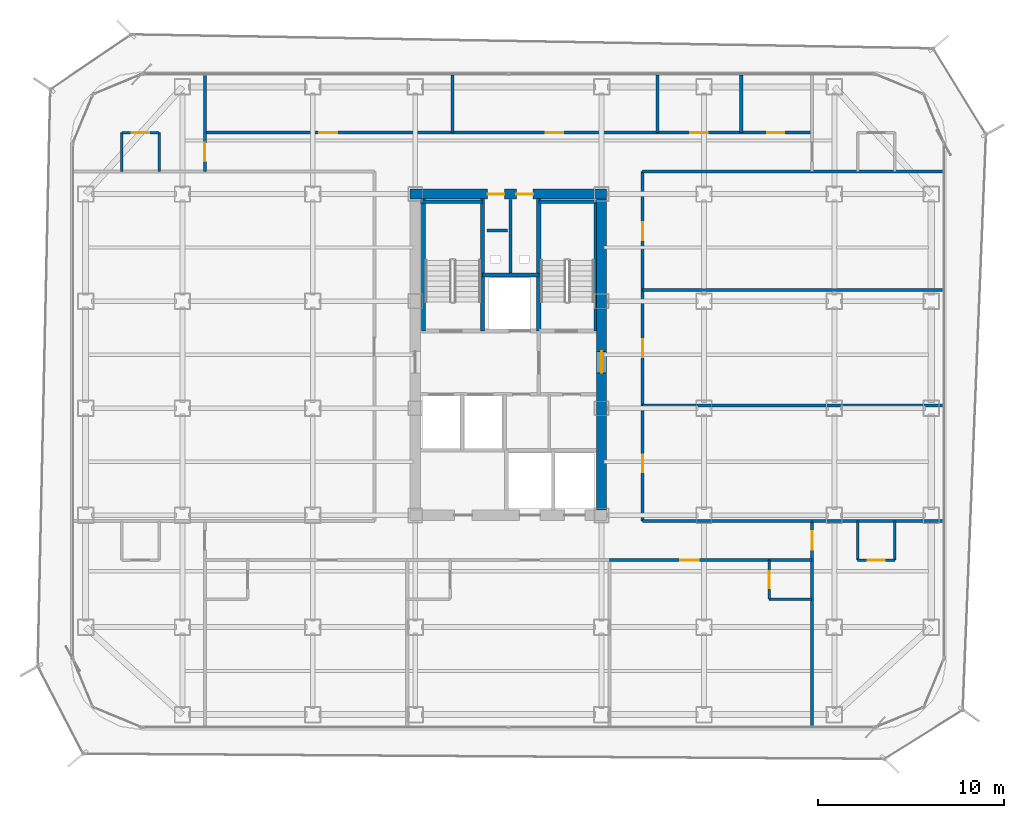
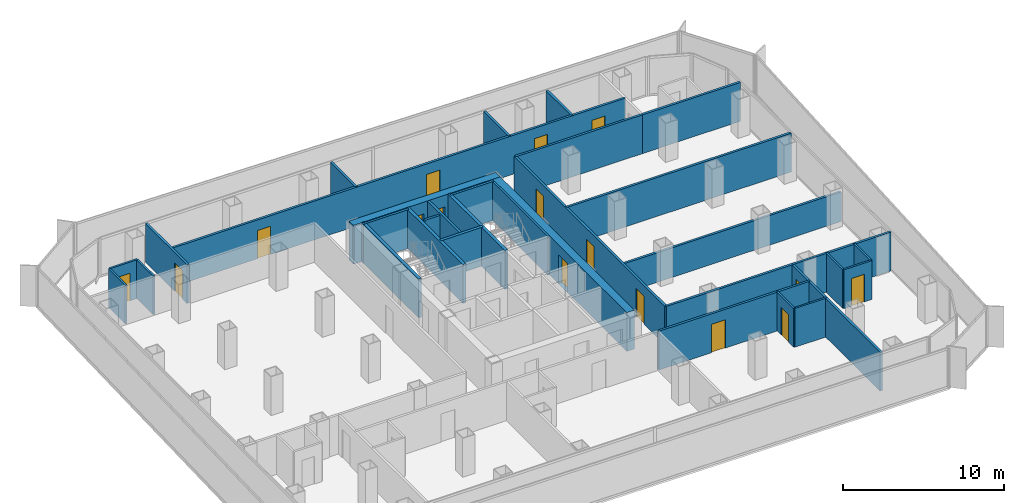
# One storey, part 17 of 21: 34 walls, 16 doors, 16 openings.
"""IFC4 building model written with IfcOpenShell, lengths in metres."""

import ifcopenshell
import ifcopenshell.guid

model = None  # the IFC model being written
_history = None  # IfcOwnerHistory: only IFC2X3 demands one
_inside = {}  # id of a spatial element -> (the spatial element, [elements in it])
_under = {}  # id of a project, library or spatial element -> (it, [spatial elements below it])
_declared = {}  # id of a project -> (the project, [libraries it declares])
_typed = {}  # id of a type object -> (the type object, [elements of that type])
_made_of = {}  # id of a material, layer set ... -> (it, [elements and type objects made of it])


def new_model(schema):
    """Start an empty IFC model of exactly this schema.

    Asked for "IFC4X3", IfcOpenShell would pick the latest addendum, in which some entities
    have other attributes; the version numbers below select the first issue.
    IFC2X3 requires an IfcOwnerHistory on every rooted entity: one is made here for all.
    """
    global model, _history
    if schema == "IFC4X3":
        model = ifcopenshell.file(schema_version=(4, 3, 0, 0))
    else:
        model = ifcopenshell.file(schema=schema)
    _inside.clear()
    _under.clear()
    _declared.clear()
    _typed.clear()
    _made_of.clear()
    _history = None
    if model.schema == "IFC2X3":
        org = make("IfcOrganization", Name="unknown")
        user = make(
            "IfcPersonAndOrganization",
            ThePerson=make("IfcPerson", FamilyName="unknown"),
            TheOrganization=org,
        )
        app = make(
            "IfcApplication",
            ApplicationDeveloper=org,
            Version="unknown",
            ApplicationFullName="unknown",
            ApplicationIdentifier="unknown",
        )
        _history = make(
            "IfcOwnerHistory",
            OwningUser=user,
            OwningApplication=app,
            ChangeAction="ADDED",
            CreationDate=0,
        )
    return model


def make(cls, **values):
    """One entity of the class cls with the attributes given. An attribute that is None is left unset."""
    return model.create_entity(
        cls, **{name: value for name, value in values.items() if value is not None}
    )


def rooted(cls, **values):
    """An entity with a GlobalId (a new one), such as an element, a storey or a relation."""
    return make(cls, GlobalId=ifcopenshell.guid.new(), OwnerHistory=_history, **values)


def si_unit(unit_type, name, prefix=None):
    """IfcSIUnit, for example si_unit("LENGTHUNIT", "METRE", prefix="MILLI")."""
    return make("IfcSIUnit", UnitType=unit_type, Prefix=prefix, Name=name)


def assignment(units):
    """IfcUnitAssignment: the units of a project."""
    return None if units is None else make("IfcUnitAssignment", Units=units)


def point(xyz):
    """IfcCartesianPoint."""
    return None if xyz is None else make("IfcCartesianPoint", Coordinates=xyz)


def direction(xyz):
    """IfcDirection."""
    return None if xyz is None else make("IfcDirection", DirectionRatios=xyz)


def frame(location, z_axis=None, x_axis=None):
    """IfcAxis2Placement3D, a coordinate frame: its origin and axes. An axis left out is left unset."""
    return make(
        "IfcAxis2Placement3D",
        Location=point(location),
        Axis=direction(z_axis),
        RefDirection=direction(x_axis),
    )


def frame_2d(location, x_axis=None):
    """IfcAxis2Placement2D, a coordinate frame in the plane: its origin and x axis."""
    return make(
        "IfcAxis2Placement2D", Location=point(location), RefDirection=direction(x_axis)
    )


def origin():
    """The frame at (0, 0, 0) with its axes left unset."""
    return frame((0.0, 0.0, 0.0))


def place(relative_to, where):
    """IfcLocalPlacement: puts the frame where relative to a parent placement (None: the world)."""
    return make(
        "IfcLocalPlacement", PlacementRelTo=relative_to, RelativePlacement=where
    )


def context(
    kind, dimensions, precision=None, world=None, true_north=None, identifier=None
):
    """IfcGeometricRepresentationContext, for example the 3D "Model" context."""
    return make(
        "IfcGeometricRepresentationContext",
        ContextIdentifier=identifier,
        ContextType=kind,
        CoordinateSpaceDimension=dimensions,
        Precision=precision,
        WorldCoordinateSystem=world,
        TrueNorth=true_north,
    )


def subcontext(parent, identifier, kind, view, scale=None):
    """IfcGeometricRepresentationSubContext, for example "Body" below "Model"."""
    return make(
        "IfcGeometricRepresentationSubContext",
        ContextIdentifier=identifier,
        ContextType=kind,
        ParentContext=parent,
        TargetScale=scale,
        TargetView=view,
    )


def project(units=None, contexts=None):
    """IfcProject with its units and contexts."""
    return rooted(
        "IfcProject",
        Name="project",
        RepresentationContexts=contexts,
        UnitsInContext=assignment(units),
    )


def spatial(cls, under=None, at=None, **own):
    """A site, building, storey or space (cls), placed at a placement, below another one or the project."""
    s = rooted(cls, ObjectPlacement=at, **own)
    if under is not None:
        _under.setdefault(under.id(), (under, []))[1].append(s)
    return s


def profile(cls, at=None, kind="AREA", **sizes):
    """A parametric profile (cls). Its sizes go by their IFC names, for example OverallWidth=200.0."""
    return make(cls, ProfileType=kind, Position=at, **sizes)


def rectangle(**sizes):
    """IfcRectangleProfileDef."""
    return profile("IfcRectangleProfileDef", **sizes)


def extrude(swept, where, along, depth):
    """IfcExtrudedAreaSolid: the profile swept, set in the frame where, extruded along a direction by depth."""
    return make(
        "IfcExtrudedAreaSolid",
        SweptArea=swept,
        Position=where,
        ExtrudedDirection=direction(along),
        Depth=depth,
    )


def shape(context_of_items, identifier, shape_type, items):
    """IfcShapeRepresentation: the items that make up one representation, for example the "Body"."""
    return make(
        "IfcShapeRepresentation",
        ContextOfItems=context_of_items,
        RepresentationIdentifier=identifier,
        RepresentationType=shape_type,
        Items=items,
    )


def material(Name=None, Category=None):
    """IfcMaterial."""
    return make("IfcMaterial", Name=Name, Category=Category)


def layer(
    of_material, thickness, ventilated=None, Name=None, Category=None, Priority=None
):
    """IfcMaterialLayer: one layer of a wall or slab, of a material (None: an air gap)."""
    return make(
        "IfcMaterialLayer",
        Material=of_material,
        LayerThickness=thickness,
        IsVentilated=ventilated,
        Name=Name,
        Category=Category,
        Priority=Priority,
    )


def layer_set(layers, Name=None):
    """IfcMaterialLayerSet."""
    return make("IfcMaterialLayerSet", MaterialLayers=layers, LayerSetName=Name)


def made_of(thing, what):
    """Note that an element or type object is made of a material, layer set ...; save() writes the relation."""
    if what is not None:
        _made_of.setdefault(what.id(), (what, []))[1].append(thing)
    return thing


def type_object(cls, material=None, **own):
    """A type object (cls), such as IfcWallType, which elements share."""
    return made_of(rooted(cls, **own), material)


def element(
    cls,
    number,
    at=None,
    inside=None,
    cuts=None,
    type_object=None,
    material=None,
    context=None,
    identifier="Body",
    shape_type=None,
    held_by="IfcProductDefinitionShape",
    body=None,
    shapes=None,
    **own,
):
    """One element of the class cls, such as IfcWall. Its Tag is "e" and its number.

    at: its placement. inside: the storey or other place that contains it. cuts: it is an
    opening in that element (IfcRelVoidsElement). A single representation is given by context,
    identifier, shape_type and body (its items); several are given by shapes. held_by: the class
    of the entity that holds the representations. save() writes the other relations.
    """
    e = rooted(cls, Tag="e%d" % number, ObjectPlacement=at, **own)
    if body is not None:
        shapes = [shape(context, identifier, shape_type, body)]
    if shapes is not None:
        e.Representation = make(held_by, Representations=shapes)
    if inside is not None:
        _inside.setdefault(inside.id(), (inside, []))[1].append(e)
    if cuts is not None:
        rooted(
            "IfcRelVoidsElement", RelatingBuildingElement=cuts, RelatedOpeningElement=e
        )
    if type_object is not None:
        _typed.setdefault(type_object.id(), (type_object, []))[1].append(e)
    return made_of(e, material)


def fill(opening, filler):
    """IfcRelFillsElement: the door or window that sits in an opening."""
    return rooted(
        "IfcRelFillsElement",
        RelatingOpeningElement=opening,
        RelatedBuildingElement=filler,
    )


def aggregate(whole, parts):
    """IfcRelAggregates: a whole, such as a stair, and the parts it consists of."""
    return rooted("IfcRelAggregates", RelatingObject=whole, RelatedObjects=parts)


def save(model, path):
    """Write the relations noted so far, then the file.

    IfcRelAggregates (storeys below a building ...), IfcRelContainedInSpatialStructure (elements
    in a storey), IfcRelDefinesByType, IfcRelAssociatesMaterial and IfcRelDeclares: one each for
    every whole, place, type object, material and project.
    """
    for whole, parts in _under.values():
        aggregate(whole, parts)
    for where, things in _inside.values():
        rooted(
            "IfcRelContainedInSpatialStructure",
            RelatedElements=things,
            RelatingStructure=where,
        )
    for kind, things in _typed.values():
        rooted("IfcRelDefinesByType", RelatedObjects=things, RelatingType=kind)
    for what, things in _made_of.values():
        rooted("IfcRelAssociatesMaterial", RelatedObjects=things, RelatingMaterial=what)
    for by, libraries in _declared.values():
        rooted("IfcRelDeclares", RelatingContext=by, RelatedDefinitions=libraries)
    model.write(path)


model = new_model("IFC4")

# Units and contexts
model_context = context("Model", 3, precision=1e-05, world=origin(), true_north=direction((0.0, 1.0)))
body_context = subcontext(model_context, "Body", "Model", "MODEL_VIEW")
ifc_project = project(units=[si_unit("LENGTHUNIT", "METRE"), si_unit("AREAUNIT", "SQUARE_METRE"), si_unit("VOLUMEUNIT", "CUBIC_METRE"), si_unit("PLANEANGLEUNIT", "RADIAN"), si_unit("MASSUNIT", "GRAM", prefix="KILO")], contexts=[model_context])

# Site, building, storey
site_placement = place(None, origin())
site = spatial("IfcSite", under=ifc_project, at=site_placement, CompositionType="ELEMENT")
building_placement = place(site_placement, origin())
building = spatial("IfcBuilding", under=site, at=building_placement, Name="Kolveth Station Tower", CompositionType="ELEMENT")
storey_placement = place(building_placement, frame((0.0, 0.0, 121.5)))
storey = spatial("IfcBuildingStorey", under=building, at=storey_placement, Name="L33", CompositionType="ELEMENT", Elevation=121.5)

# Wall, openings, doors
ifc_material_1 = material(Name="Concrete C60/75", Category="concrete")
ifc_layer_1 = layer(ifc_material_1, 0.550048828125)
ifc_layer_set_1 = layer_set([ifc_layer_1], Name="Concrete C60/75")
wall_type_1 = type_object("IfcWallType", Name="Wall_CW-550", PredefinedType="SHEAR", material=ifc_layer_set_1)
wall_1_placement = place(storey_placement, frame((18.22509765625, 28.75, 0.0), z_axis=(0.0, 0.0, 1.0), x_axis=(1.0, 0.0, 0.0)))
wall_1 = element("IfcWall", 1, at=wall_1_placement, inside=storey, type_object=wall_type_1, Name="L33 Core RC Shear Wall N", PredefinedType="SHEAR", context=body_context, shape_type="SweptSolid", body=[
    extrude(rectangle(XDim=10.5498046875, YDim=0.550048828125, at=frame_2d((5.27490234375, 0.0))), origin(), (0.0, 0.0, 1.0), 2.949951171875),
])
opening_1_placement = place(wall_1_placement, frame((4.155029296875, 0.0, 0.0)))
opening_1 = element("IfcOpeningElement", 2, at=opening_1_placement, cuts=wall_1, Name="Opening RD1", PredefinedType="OPENING", context=body_context, shape_type="SweptSolid", body=[
    extrude(rectangle(XDim=0.89990234375, YDim=2.050048828125, at=frame_2d((0.449951171875, 1.02490234375))), frame((0.0, 0.284912109375, 0.0), z_axis=(0.0, -1.0, 0.0), x_axis=(1.0, 0.0, 0.0)), (0.0, 0.0, 1.0), 0.570068359375),
])
opening_2_placement = place(wall_1_placement, frame((5.695068359375, 0.0, 0.0)))
opening_2 = element("IfcOpeningElement", 3, at=opening_2_placement, cuts=wall_1, Name="Opening RD1", PredefinedType="OPENING", context=body_context, shape_type="SweptSolid", body=[
    extrude(rectangle(XDim=0.89990234375, YDim=2.050048828125, at=frame_2d((0.449951171875, 1.02490234375))), frame((0.0, 0.284912109375, 0.0), z_axis=(0.0, -1.0, 0.0), x_axis=(1.0, 0.0, 0.0)), (0.0, 0.0, 1.0), 0.570068359375),
])
ifc_material_2 = material(Name="Fire-rated Steel S355 riser access leaf", Category="steel")
door_type_1 = type_object("IfcDoorType", Name="Door_RD1", OperationType="NOTDEFINED", PredefinedType="DOOR", material=ifc_material_2)
door_1_placement = place(opening_1_placement, origin())
door_1 = element("IfcDoor", 4, at=door_1_placement, inside=storey, type_object=door_type_1, Name="L33 Electrical Riser Access Door", OperationType="SINGLE_SWING_RIGHT", OverallHeight=2.050048828125, OverallWidth=0.89990234375, PredefinedType="DOOR", context=body_context, shape_type="SweptSolid", body=[
    extrude(rectangle(XDim=0.89990234375, YDim=2.050048828125, at=frame_2d((0.449951171875, 1.02490234375))), frame((0.0, 0.02490234375, 0.0), z_axis=(0.0, -1.0, 0.0), x_axis=(1.0, 0.0, 0.0)), (0.0, 0.0, 1.0), 0.050048828125),
])
fill(opening_1, door_1)
door_2_placement = place(opening_2_placement, origin())
door_2 = element("IfcDoor", 5, at=door_2_placement, inside=storey, type_object=door_type_1, Name="L33 Smoke Duct Access Door", OperationType="SINGLE_SWING_LEFT", OverallHeight=2.050048828125, OverallWidth=0.89990234375, PredefinedType="DOOR", context=body_context, shape_type="SweptSolid", body=[
    extrude(rectangle(XDim=0.89990234375, YDim=2.050048828125, at=frame_2d((0.449951171875, 1.02490234375))), frame((0.0, 0.02490234375, 0.0), z_axis=(0.0, -1.0, 0.0), x_axis=(1.0, 0.0, 0.0)), (0.0, 0.0, 1.0), 0.050048828125),
])
fill(opening_2, door_2)

# Wall, opening, door
wall_2_placement = place(storey_placement, frame((28.5, 11.77490234375, 0.0), z_axis=(0.0, 0.0, 1.0), x_axis=(0.0, 1.0, 0.0)))
wall_2 = element("IfcWall", 6, at=wall_2_placement, inside=storey, type_object=wall_type_1, Name="L33 Core RC Shear Wall E", PredefinedType="SHEAR", context=body_context, shape_type="SweptSolid", body=[
    extrude(rectangle(XDim=16.7001953125, YDim=0.550048828125, at=frame_2d((8.35009765625, 0.0))), origin(), (0.0, 0.0, 1.0), 2.949951171875),
])
opening_3_placement = place(wall_2_placement, frame((7.375, 0.0, 0.0)))
opening_3 = element("IfcOpeningElement", 7, at=opening_3_placement, cuts=wall_2, Name="Opening FD1", PredefinedType="OPENING", context=body_context, shape_type="SweptSolid", body=[
    extrude(rectangle(XDim=1.14990234375, YDim=2.199951171875, at=frame_2d((0.574951171875, 1.10009765625))), frame((0.0, 0.284912109375, 0.0), z_axis=(0.0, -1.0, 0.0), x_axis=(1.0, 0.0, 0.0)), (0.0, 0.0, 1.0), 0.570068359375),
])
ifc_material_3 = material(Name="Fire-rated Steel S355 leaf and frame", Category="steel")
door_type_2 = type_object("IfcDoorType", Name="Door_FD1", OperationType="NOTDEFINED", PredefinedType="DOOR", material=ifc_material_3)
door_3_placement = place(opening_3_placement, origin())
door_3 = element("IfcDoor", 8, at=door_3_placement, inside=storey, type_object=door_type_2, Name="L33 East Corridor to Stair Lobby Door", OperationType="SINGLE_SWING_LEFT", OverallHeight=2.199951171875, OverallWidth=1.14990234375, PredefinedType="DOOR", context=body_context, shape_type="SweptSolid", body=[
    extrude(rectangle(XDim=1.14990234375, YDim=2.199951171875, at=frame_2d((0.574951171875, 1.10009765625))), frame((0.0, 0.02490234375, 0.0), z_axis=(0.0, -1.0, 0.0), x_axis=(1.0, 0.0, 0.0)), (0.0, 0.0, 1.0), 0.050048828125),
])
fill(opening_3, door_3)

# Walls
ifc_material_4 = material(Name="Moisture-resistant gypsum partition")
ifc_layer_2 = layer(ifc_material_4, 0.135009765625)
ifc_layer_set_2 = layer_set([ifc_layer_2], Name="Moisture-resistant gypsum partition")
wall_type_2 = type_object("IfcWallType", Name="Wall_IW-135", PredefinedType="PARTITIONING", material=ifc_layer_set_2)
wall_3_placement = place(storey_placement, frame((28.16748046875, 21.389892578125, 0.0), z_axis=(0.0, 0.0, 1.0), x_axis=(0.0, 1.0, 0.0)))
element("IfcWall", 9, at=wall_3_placement, inside=storey, type_object=wall_type_2, Name="L33 Stair Shaft Wall WL-L33-ST2-E", PredefinedType="PARTITIONING", context=body_context, shape_type="SweptSolid", body=[
    extrude(rectangle(XDim=6.945068359375, YDim=0.135009765625, at=frame_2d((3.47265625, 0.0))), origin(), (0.0, 0.0, 1.0), 2.949951171875),
])
for number, where, z_axis, x_axis, name in (
    (10, (2.75, 29.949951171875, 0.0), (0.0, 0.0, 1.0), (0.0, 1.0, 0.0), "L33 Partition Wall WL-L33-WS2-BV1"),
    (11, (4.75, 29.949951171875, 0.0), (0.0, 0.0, 1.0), (0.0, 1.0, 0.0), "L33 Partition Wall WL-L33-WS2-BV2"),
):
    element("IfcWall", number, at=place(storey_placement, frame(where, z_axis=z_axis, x_axis=x_axis)), inside=storey, type_object=wall_type_2, Name=name, PredefinedType="PARTITIONING", context=body_context, shape_type="SweptSolid", body=[
        extrude(rectangle(XDim=2.10009765625, YDim=0.135009765625, at=frame_2d((1.050048828125, 0.0))), origin(), (0.0, 0.0, 1.0), 2.949951171875),
    ])

# Wall, opening, door
wall_4_placement = place(storey_placement, frame((2.75, 32.050048828125, 0.0), z_axis=(0.0, 0.0, 1.0), x_axis=(1.0, 0.0, 0.0)))
wall_4 = element("IfcWall", 12, at=wall_4_placement, inside=storey, type_object=wall_type_2, Name="L33 Partition Wall WL-L33-WS2-BH", PredefinedType="PARTITIONING", context=body_context, shape_type="SweptSolid", body=[
    extrude(rectangle(XDim=2.0, YDim=0.135009765625, at=frame_2d((1.0, 0.0))), origin(), (0.0, 0.0, 1.0), 2.949951171875),
])
opening_4_placement = place(wall_4_placement, frame((0.5400390625, 0.0, 0.0)))
opening_4 = element("IfcOpeningElement", 13, at=opening_4_placement, cuts=wall_4, Name="Opening ID2", PredefinedType="OPENING", context=body_context, shape_type="SweptSolid", body=[
    extrude(rectangle(XDim=0.919921875, YDim=2.10009765625, at=frame_2d((0.4599609375, 1.050048828125))), frame((0.0, 0.077392578125, 0.0), z_axis=(0.0, -1.0, 0.0), x_axis=(1.0, 0.0, 0.0)), (0.0, 0.0, 1.0), 0.155029296875),
])
ifc_material_5 = material(Name="Moisture-resistant hardwood leaf", Category="wood")
door_type_3 = type_object("IfcDoorType", Name="Door_ID2", OperationType="NOTDEFINED", PredefinedType="DOOR", material=ifc_material_5)
door_4_placement = place(opening_4_placement, frame((0.919921875, 0.0, 0.0), z_axis=(0.0, 0.0, 1.0), x_axis=(-1.0, 0.0, 0.0)))
door_4 = element("IfcDoor", 14, at=door_4_placement, inside=storey, type_object=door_type_3, Name="L33 Hotel Guest Room WS2 En-Suite Door", OperationType="SINGLE_SWING_LEFT", OverallHeight=2.10009765625, OverallWidth=0.919921875, PredefinedType="DOOR", context=body_context, shape_type="SweptSolid", body=[
    extrude(rectangle(XDim=0.919921875, YDim=2.10009765625, at=frame_2d((0.4599609375, 1.050048828125))), frame((0.0, 0.02490234375, 0.0), z_axis=(0.0, -1.0, 0.0), x_axis=(1.0, 0.0, 0.0)), (0.0, 0.0, 1.0), 0.050048828125),
])
fill(opening_4, door_4)

# Walls
for number, where, z_axis, x_axis, name in (
    (15, (42.25, 9.10009765625, 0.0), (0.0, 0.0, 1.0), (0.0, 1.0, 0.0), "L33 Partition Wall WL-L33-ES1-BV1"),
    (16, (44.25, 9.10009765625, 0.0), (0.0, 0.0, 1.0), (0.0, 1.0, 0.0), "L33 Partition Wall WL-L33-ES1-BV2"),
):
    element("IfcWall", number, at=place(storey_placement, frame(where, z_axis=z_axis, x_axis=x_axis)), inside=storey, type_object=wall_type_2, Name=name, PredefinedType="PARTITIONING", context=body_context, shape_type="SweptSolid", body=[
        extrude(rectangle(XDim=2.099853515625, YDim=0.135009765625, at=frame_2d((1.0498046875, 0.0))), origin(), (0.0, 0.0, 1.0), 2.949951171875),
    ])

# Wall, opening, door
wall_5_placement = place(storey_placement, frame((42.25, 9.10009765625, 0.0), z_axis=(0.0, 0.0, 1.0), x_axis=(1.0, 0.0, 0.0)))
wall_5 = element("IfcWall", 17, at=wall_5_placement, inside=storey, type_object=wall_type_2, Name="L33 Partition Wall WL-L33-ES1-BH", PredefinedType="PARTITIONING", context=body_context, shape_type="SweptSolid", body=[
    extrude(rectangle(XDim=2.0, YDim=0.135009765625, at=frame_2d((1.0, 0.0))), origin(), (0.0, 0.0, 1.0), 2.949951171875),
])
opening_5_placement = place(wall_5_placement, frame((0.5400390625, 0.0, 0.0)))
opening_5 = element("IfcOpeningElement", 18, at=opening_5_placement, cuts=wall_5, Name="Opening ID2", PredefinedType="OPENING", context=body_context, shape_type="SweptSolid", body=[
    extrude(rectangle(XDim=0.919921875, YDim=2.10009765625, at=frame_2d((0.4599609375, 1.050048828125))), frame((0.0, 0.077392578125, 0.0), z_axis=(0.0, -1.0, 0.0), x_axis=(1.0, 0.0, 0.0)), (0.0, 0.0, 1.0), 0.155029296875),
])
door_5_placement = place(opening_5_placement, origin())
door_5 = element("IfcDoor", 19, at=door_5_placement, inside=storey, type_object=door_type_3, Name="L33 Hotel Corner Suite ES1 En-Suite Door", OperationType="SINGLE_SWING_LEFT", OverallHeight=2.10009765625, OverallWidth=0.919921875, PredefinedType="DOOR", context=body_context, shape_type="SweptSolid", body=[
    extrude(rectangle(XDim=0.919921875, YDim=2.10009765625, at=frame_2d((0.4599609375, 1.050048828125))), frame((0.0, 0.02490234375, 0.0), z_axis=(0.0, -1.0, 0.0), x_axis=(1.0, 0.0, 0.0)), (0.0, 0.0, 1.0), 0.050048828125),
])
fill(opening_5, door_5)

wall_6_placement = place(storey_placement, frame((37.5, 7.0, 0.0), z_axis=(0.0, 0.0, 1.0), x_axis=(0.0, 1.0, 0.0)))
wall_6 = element("IfcWall", 20, at=wall_6_placement, inside=storey, type_object=wall_type_2, Name="L33 Partition Wall WL-L33-HS3-BV", PredefinedType="PARTITIONING", context=body_context, shape_type="SweptSolid", body=[
    extrude(rectangle(XDim=2.10009765625, YDim=0.135009765625, at=frame_2d((1.050048828125, 0.0))), origin(), (0.0, 0.0, 1.0), 2.949951171875),
])
opening_6_placement = place(wall_6_placement, frame((0.580078125, 0.0, 0.0)))
opening_6 = element("IfcOpeningElement", 21, at=opening_6_placement, cuts=wall_6, Name="Opening ID2", PredefinedType="OPENING", context=body_context, shape_type="SweptSolid", body=[
    extrude(rectangle(XDim=0.919921875, YDim=2.10009765625, at=frame_2d((0.4599609375, 1.050048828125))), frame((0.0, 0.077392578125, 0.0), z_axis=(0.0, -1.0, 0.0), x_axis=(1.0, 0.0, 0.0)), (0.0, 0.0, 1.0), 0.155029296875),
])
door_6_placement = place(opening_6_placement, origin())
door_6 = element("IfcDoor", 22, at=door_6_placement, inside=storey, type_object=door_type_3, Name="L33 Hotel Corner Suite HS3 En-Suite Door", OperationType="SINGLE_SWING_LEFT", OverallHeight=2.10009765625, OverallWidth=0.919921875, PredefinedType="DOOR", context=body_context, shape_type="SweptSolid", body=[
    extrude(rectangle(XDim=0.919921875, YDim=2.10009765625, at=frame_2d((0.4599609375, 1.050048828125))), frame((0.0, 0.02490234375, 0.0), z_axis=(0.0, -1.0, 0.0), x_axis=(1.0, 0.0, 0.0)), (0.0, 0.0, 1.0), 0.050048828125),
])
fill(opening_6, door_6)

# Walls
wall_7_placement = place(storey_placement, frame((37.5, 7.0, 0.0), z_axis=(0.0, 0.0, 1.0), x_axis=(1.0, 0.0, 0.0)))
element("IfcWall", 23, at=wall_7_placement, inside=storey, type_object=wall_type_2, Name="L33 Partition Wall WL-L33-HS3-BH", PredefinedType="PARTITIONING", context=body_context, shape_type="SweptSolid", body=[
    extrude(rectangle(XDim=2.300048828125, YDim=0.135009765625, at=frame_2d((1.14990234375, 0.0))), origin(), (0.0, 0.0, 1.0), 2.949951171875),
])
ifc_material_6 = material(Name="Acoustic double-stud gypsum partition")
ifc_layer_3 = layer(ifc_material_6, 0.1650390625)
ifc_layer_set_3 = layer_set([ifc_layer_3], Name="Acoustic double-stud gypsum partition")
wall_type_3 = type_object("IfcWallType", Name="Wall_IW-165", PredefinedType="PARTITIONING", material=ifc_layer_set_3)
wall_8_placement = place(storey_placement, frame((18.784912109375, 28.3349609375, 0.0), z_axis=(0.0, 0.0, 1.0), x_axis=(1.0, 0.0, 0.0)))
element("IfcWall", 24, at=wall_8_placement, inside=storey, type_object=wall_type_3, Name="L33 Stair Shaft Wall WL-L33-ST1-N", PredefinedType="PARTITIONING", context=body_context, shape_type="SweptSolid", body=[
    extrude(rectangle(XDim=3.3251953125, YDim=0.1650390625, at=frame_2d((1.66259765625, 0.0))), origin(), (0.0, 0.0, 1.0), 2.949951171875),
])
wall_9_placement = place(storey_placement, frame((25.1298828125, 28.3349609375, 0.0), z_axis=(0.0, 0.0, 1.0), x_axis=(1.0, 0.0, 0.0)))
element("IfcWall", 25, at=wall_9_placement, inside=storey, type_object=wall_type_3, Name="L33 Stair Shaft Wall WL-L33-ST2-N", PredefinedType="PARTITIONING", context=body_context, shape_type="SweptSolid", body=[
    extrude(rectangle(XDim=3.085205078125, YDim=0.1650390625, at=frame_2d((1.54248046875, 0.0))), origin(), (0.0, 0.0, 1.0), 2.949951171875),
])
wall_10_placement = place(storey_placement, frame((23.6201171875, 24.39990234375, 0.0), z_axis=(0.0, 0.0, 1.0), x_axis=(0.0, 1.0, 0.0)))
element("IfcWall", 26, at=wall_10_placement, inside=storey, type_object=wall_type_3, Name="L33 Partition Wall WL-L33-RSR-M", PredefinedType="PARTITIONING", context=body_context, shape_type="SweptSolid", body=[
    extrude(rectangle(XDim=4.065185546875, YDim=0.1650390625, at=frame_2d((2.03271484375, 0.0))), origin(), (0.0, 0.0, 1.0), 2.949951171875),
])

# Wall, openings, doors
wall_11_placement = place(storey_placement, frame((7.199951171875, 32.050048828125, 0.0), z_axis=(0.0, 0.0, 1.0), x_axis=(1.0, 0.0, 0.0)))
wall_11 = element("IfcWall", 27, at=wall_11_placement, inside=storey, type_object=wall_type_3, Name="L33 Partition Wall WL-L33-HN", PredefinedType="PARTITIONING", context=body_context, shape_type="SweptSolid", body=[
    extrude(rectangle(XDim=32.60009765625, YDim=0.1650390625, at=frame_2d((16.300048828125, 0.0))), origin(), (0.0, 0.0, 1.0), 2.949951171875),
])
opening_7_placement = place(wall_11_placement, frame((6.14990234375, 0.0, 0.0)))
opening_7 = element("IfcOpeningElement", 28, at=opening_7_placement, cuts=wall_11, Name="Opening ID1", PredefinedType="OPENING", context=body_context, shape_type="SweptSolid", body=[
    extrude(rectangle(XDim=0.949951171875, YDim=2.14990234375, at=frame_2d((0.47509765625, 1.074951171875))), frame((0.0, 0.092529296875, 0.0), z_axis=(0.0, -1.0, 0.0), x_axis=(1.0, 0.0, 0.0)), (0.0, 0.0, 1.0), 0.18505859375),
])
opening_8_placement = place(wall_11_placement, frame((18.300048828125, 0.0, 0.0)))
opening_8 = element("IfcOpeningElement", 29, at=opening_8_placement, cuts=wall_11, Name="Opening ID1", PredefinedType="OPENING", context=body_context, shape_type="SweptSolid", body=[
    extrude(rectangle(XDim=0.949951171875, YDim=2.14990234375, at=frame_2d((0.47509765625, 1.074951171875))), frame((0.0, 0.092529296875, 0.0), z_axis=(0.0, -1.0, 0.0), x_axis=(1.0, 0.0, 0.0)), (0.0, 0.0, 1.0), 0.18505859375),
])
opening_9_placement = place(wall_11_placement, frame((26.050048828125, 0.0, 0.0)))
opening_9 = element("IfcOpeningElement", 30, at=opening_9_placement, cuts=wall_11, Name="Opening ID1", PredefinedType="OPENING", context=body_context, shape_type="SweptSolid", body=[
    extrude(rectangle(XDim=0.949951171875, YDim=2.14990234375, at=frame_2d((0.47509765625, 1.074951171875))), frame((0.0, 0.092529296875, 0.0), z_axis=(0.0, -1.0, 0.0), x_axis=(1.0, 0.0, 0.0)), (0.0, 0.0, 1.0), 0.18505859375),
])
opening_10_placement = place(wall_11_placement, frame((30.199951171875, 0.0, 0.0)))
opening_10 = element("IfcOpeningElement", 31, at=opening_10_placement, cuts=wall_11, Name="Opening ID2", PredefinedType="OPENING", context=body_context, shape_type="SweptSolid", body=[
    extrude(rectangle(XDim=0.919921875, YDim=2.10009765625, at=frame_2d((0.4599609375, 1.050048828125))), frame((0.0, 0.092529296875, 0.0), z_axis=(0.0, -1.0, 0.0), x_axis=(1.0, 0.0, 0.0)), (0.0, 0.0, 1.0), 0.18505859375),
])
ifc_material_7 = material(Name="Acoustic hardwood leaf and aluminium frame", Category="wood")
door_type_4 = type_object("IfcDoorType", Name="Door_ID1", OperationType="NOTDEFINED", PredefinedType="DOOR", material=ifc_material_7)
door_7_placement = place(opening_7_placement, origin())
door_7 = element("IfcDoor", 32, at=door_7_placement, inside=storey, type_object=door_type_4, Name="L33 Spa Wellness Consultation Door", OperationType="SINGLE_SWING_LEFT", OverallHeight=2.14990234375, OverallWidth=0.949951171875, PredefinedType="DOOR", context=body_context, shape_type="SweptSolid", body=[
    extrude(rectangle(XDim=0.949951171875, YDim=2.14990234375, at=frame_2d((0.47509765625, 1.074951171875))), frame((0.0, 0.02490234375, 0.0), z_axis=(0.0, -1.0, 0.0), x_axis=(1.0, 0.0, 0.0)), (0.0, 0.0, 1.0), 0.050048828125),
])
fill(opening_7, door_7)
door_8_placement = place(opening_8_placement, origin())
door_8 = element("IfcDoor", 33, at=door_8_placement, inside=storey, type_object=door_type_4, Name="L33 Floor Service Pantry Door", OperationType="SINGLE_SWING_RIGHT", OverallHeight=2.14990234375, OverallWidth=0.949951171875, PredefinedType="DOOR", context=body_context, shape_type="SweptSolid", body=[
    extrude(rectangle(XDim=0.949951171875, YDim=2.14990234375, at=frame_2d((0.47509765625, 1.074951171875))), frame((0.0, 0.02490234375, 0.0), z_axis=(0.0, -1.0, 0.0), x_axis=(1.0, 0.0, 0.0)), (0.0, 0.0, 1.0), 0.050048828125),
])
fill(opening_8, door_8)
door_9_placement = place(opening_9_placement, origin())
door_9 = element("IfcDoor", 34, at=door_9_placement, inside=storey, type_object=door_type_4, Name="L33 Luggage Store Door", OperationType="SINGLE_SWING_LEFT", OverallHeight=2.14990234375, OverallWidth=0.949951171875, PredefinedType="DOOR", context=body_context, shape_type="SweptSolid", body=[
    extrude(rectangle(XDim=0.949951171875, YDim=2.14990234375, at=frame_2d((0.47509765625, 1.074951171875))), frame((0.0, 0.02490234375, 0.0), z_axis=(0.0, -1.0, 0.0), x_axis=(1.0, 0.0, 0.0)), (0.0, 0.0, 1.0), 0.050048828125),
])
fill(opening_9, door_9)
door_10_placement = place(opening_10_placement, origin())
door_10 = element("IfcDoor", 35, at=door_10_placement, inside=storey, type_object=door_type_3, Name="L33 Accessible Guest WC Door", OperationType="SINGLE_SWING_RIGHT", OverallHeight=2.10009765625, OverallWidth=0.919921875, PredefinedType="DOOR", context=body_context, shape_type="SweptSolid", body=[
    extrude(rectangle(XDim=0.919921875, YDim=2.10009765625, at=frame_2d((0.4599609375, 1.050048828125))), frame((0.0, 0.02490234375, 0.0), z_axis=(0.0, -1.0, 0.0), x_axis=(1.0, 0.0, 0.0)), (0.0, 0.0, 1.0), 0.050048828125),
])
fill(opening_10, door_10)

# Walls
for number, where, z_axis, x_axis, name in (
    (36, (30.699951171875, 11.199951171875, 0.0), (0.0, 0.0, 1.0), (1.0, 0.0, 0.0), "L33 Partition Wall WL-L33-HSET"),
    (37, (30.699951171875, 29.949951171875, 0.0), (0.0, 0.0, 1.0), (1.0, 0.0, 0.0), "L33 Partition Wall WL-L33-HNEB"),
):
    element("IfcWall", number, at=place(storey_placement, frame(where, z_axis=z_axis, x_axis=x_axis)), inside=storey, type_object=wall_type_3, Name=name, PredefinedType="PARTITIONING", context=body_context, shape_type="SweptSolid", body=[
        extrude(rectangle(XDim=9.10009765625, YDim=0.1650390625, at=frame_2d((4.550048828125, 0.0))), origin(), (0.0, 0.0, 1.0), 2.949951171875),
    ])

# Wall, openings, doors
wall_12_placement = place(storey_placement, frame((30.699951171875, 11.199951171875, 0.0), z_axis=(0.0, 0.0, 1.0), x_axis=(0.0, 1.0, 0.0)))
wall_12 = element("IfcWall", 38, at=wall_12_placement, inside=storey, type_object=wall_type_3, Name="L33 Partition Wall WL-L33-HE", PredefinedType="PARTITIONING", context=body_context, shape_type="SweptSolid", body=[
    extrude(rectangle(XDim=18.75, YDim=0.1650390625, at=frame_2d((9.375, 0.0))), origin(), (0.0, 0.0, 1.0), 2.949951171875),
])
opening_11_placement = place(wall_12_placement, frame((2.60009765625, 0.0, 0.0)))
opening_11 = element("IfcOpeningElement", 39, at=opening_11_placement, cuts=wall_12, Name="Opening ID1", PredefinedType="OPENING", context=body_context, shape_type="SweptSolid", body=[
    extrude(rectangle(XDim=0.949951171875, YDim=2.14990234375, at=frame_2d((0.47509765625, 1.074951171875))), frame((0.0, 0.092529296875, 0.0), z_axis=(0.0, -1.0, 0.0), x_axis=(1.0, 0.0, 0.0)), (0.0, 0.0, 1.0), 0.18505859375),
])
opening_12_placement = place(wall_12_placement, frame((8.800048828125, 0.0, 0.0)))
opening_12 = element("IfcOpeningElement", 40, at=opening_12_placement, cuts=wall_12, Name="Opening ID1", PredefinedType="OPENING", context=body_context, shape_type="SweptSolid", body=[
    extrude(rectangle(XDim=0.949951171875, YDim=2.14990234375, at=frame_2d((0.47509765625, 1.074951171875))), frame((0.0, 0.092529296875, 0.0), z_axis=(0.0, -1.0, 0.0), x_axis=(1.0, 0.0, 0.0)), (0.0, 0.0, 1.0), 0.18505859375),
])
opening_13_placement = place(wall_12_placement, frame((15.074951171875, 0.0, 0.0)))
opening_13 = element("IfcOpeningElement", 41, at=opening_13_placement, cuts=wall_12, Name="Opening ID1", PredefinedType="OPENING", context=body_context, shape_type="SweptSolid", body=[
    extrude(rectangle(XDim=0.949951171875, YDim=2.14990234375, at=frame_2d((0.47509765625, 1.074951171875))), frame((0.0, 0.092529296875, 0.0), z_axis=(0.0, -1.0, 0.0), x_axis=(1.0, 0.0, 0.0)), (0.0, 0.0, 1.0), 0.18505859375),
])
door_11_placement = place(opening_11_placement, origin())
door_11 = element("IfcDoor", 42, at=door_11_placement, inside=storey, type_object=door_type_4, Name="L33 Meeting Room E1 Door", OperationType="SINGLE_SWING_RIGHT", OverallHeight=2.14990234375, OverallWidth=0.949951171875, PredefinedType="DOOR", context=body_context, shape_type="SweptSolid", body=[
    extrude(rectangle(XDim=0.949951171875, YDim=2.14990234375, at=frame_2d((0.47509765625, 1.074951171875))), frame((0.0, 0.02490234375, 0.0), z_axis=(0.0, -1.0, 0.0), x_axis=(1.0, 0.0, 0.0)), (0.0, 0.0, 1.0), 0.050048828125),
])
fill(opening_11, door_11)
door_12_placement = place(opening_12_placement, origin())
door_12 = element("IfcDoor", 43, at=door_12_placement, inside=storey, type_object=door_type_4, Name="L33 Meeting Room E2 Door", OperationType="SINGLE_SWING_LEFT", OverallHeight=2.14990234375, OverallWidth=0.949951171875, PredefinedType="DOOR", context=body_context, shape_type="SweptSolid", body=[
    extrude(rectangle(XDim=0.949951171875, YDim=2.14990234375, at=frame_2d((0.47509765625, 1.074951171875))), frame((0.0, 0.02490234375, 0.0), z_axis=(0.0, -1.0, 0.0), x_axis=(1.0, 0.0, 0.0)), (0.0, 0.0, 1.0), 0.050048828125),
])
fill(opening_12, door_12)
door_13_placement = place(opening_13_placement, origin())
door_13 = element("IfcDoor", 44, at=door_13_placement, inside=storey, type_object=door_type_4, Name="L33 Business Study E3 Door", OperationType="SINGLE_SWING_LEFT", OverallHeight=2.14990234375, OverallWidth=0.949951171875, PredefinedType="DOOR", context=body_context, shape_type="SweptSolid", body=[
    extrude(rectangle(XDim=0.949951171875, YDim=2.14990234375, at=frame_2d((0.47509765625, 1.074951171875))), frame((0.0, 0.02490234375, 0.0), z_axis=(0.0, -1.0, 0.0), x_axis=(1.0, 0.0, 0.0)), (0.0, 0.0, 1.0), 0.050048828125),
])
fill(opening_13, door_13)

# Wall, opening, door
wall_13_placement = place(storey_placement, frame((7.199951171875, 29.949951171875, 0.0), z_axis=(0.0, 0.0, 1.0), x_axis=(0.0, 1.0, 0.0)))
wall_13 = element("IfcWall", 45, at=wall_13_placement, inside=storey, type_object=wall_type_3, Name="L33 Partition Wall WL-L33-END-WN", PredefinedType="PARTITIONING", context=body_context, shape_type="SweptSolid", body=[
    extrude(rectangle(XDim=5.18994140625, YDim=0.1650390625, at=frame_2d((2.594970703125, 0.0))), origin(), (0.0, 0.0, 1.0), 2.949951171875),
])
opening_14_placement = place(wall_13_placement, frame((0.550048828125, 0.0, 0.0)))
opening_14 = element("IfcOpeningElement", 46, at=opening_14_placement, cuts=wall_13, Name="Opening FD3", PredefinedType="OPENING", context=body_context, shape_type="SweptSolid", body=[
    extrude(rectangle(XDim=1.0, YDim=2.14990234375, at=frame_2d((0.5, 1.074951171875))), frame((0.0, 0.092529296875, 0.0), z_axis=(0.0, -1.0, 0.0), x_axis=(1.0, 0.0, 0.0)), (0.0, 0.0, 1.0), 0.18505859375),
])
ifc_material_8 = material(Name="Fire-rated hardwood leaf and aluminium frame", Category="wood")
door_type_5 = type_object("IfcDoorType", Name="Door_FD3", OperationType="NOTDEFINED", PredefinedType="DOOR", material=ifc_material_8)
door_14_placement = place(opening_14_placement, origin())
door_14 = element("IfcDoor", 47, at=door_14_placement, inside=storey, type_object=door_type_5, Name="L33 Hotel Guest Room WS2 Entrance Door", OperationType="SINGLE_SWING_RIGHT", OverallHeight=2.14990234375, OverallWidth=1.0, PredefinedType="DOOR", context=body_context, shape_type="SweptSolid", body=[
    extrude(rectangle(XDim=1.0, YDim=2.14990234375, at=frame_2d((0.5, 1.074951171875))), frame((0.0, 0.02490234375, 0.0), z_axis=(0.0, -1.0, 0.0), x_axis=(1.0, 0.0, 0.0)), (0.0, 0.0, 1.0), 0.050048828125),
])
fill(opening_14, door_14)

wall_14_placement = place(storey_placement, frame((39.800048828125, 0.159912109375, 0.0), z_axis=(0.0, 0.0, 1.0), x_axis=(0.0, 1.0, 0.0)))
wall_14 = element("IfcWall", 48, at=wall_14_placement, inside=storey, type_object=wall_type_3, Name="L33 Partition Wall WL-L33-END-ES", PredefinedType="PARTITIONING", context=body_context, shape_type="SweptSolid", body=[
    extrude(rectangle(XDim=11.0400390625, YDim=0.1650390625, at=frame_2d((5.52001953125, 0.0))), origin(), (0.0, 0.0, 1.0), 2.949951171875),
])
opening_15_placement = place(wall_14_placement, frame((9.489990234375, 0.0, 0.0)))
opening_15 = element("IfcOpeningElement", 49, at=opening_15_placement, cuts=wall_14, Name="Opening FD3", PredefinedType="OPENING", context=body_context, shape_type="SweptSolid", body=[
    extrude(rectangle(XDim=1.0, YDim=2.14990234375, at=frame_2d((0.5, 1.074951171875))), frame((0.0, 0.092529296875, 0.0), z_axis=(0.0, -1.0, 0.0), x_axis=(1.0, 0.0, 0.0)), (0.0, 0.0, 1.0), 0.18505859375),
])
door_15_placement = place(opening_15_placement, frame((1.0, 0.0, 0.0), z_axis=(0.0, 0.0, 1.0), x_axis=(-1.0, 0.0, 0.0)))
door_15 = element("IfcDoor", 50, at=door_15_placement, inside=storey, type_object=door_type_5, Name="L33 Hotel Corner Suite ES1 Entrance Door", OperationType="SINGLE_SWING_RIGHT", OverallHeight=2.14990234375, OverallWidth=1.0, PredefinedType="DOOR", context=body_context, shape_type="SweptSolid", body=[
    extrude(rectangle(XDim=1.0, YDim=2.14990234375, at=frame_2d((0.5, 1.074951171875))), frame((0.0, 0.02490234375, 0.0), z_axis=(0.0, -1.0, 0.0), x_axis=(1.0, 0.0, 0.0)), (0.0, 0.0, 1.0), 0.050048828125),
])
fill(opening_15, door_15)

# Walls
for number, where, z_axis, x_axis, name in (
    (51, (39.800048828125, 11.199951171875, 0.0), (0.0, 0.0, 1.0), (1.0, 0.0, 0.0), "L33 Partition Wall WL-L33-EM1"),
    (52, (39.800048828125, 29.949951171875, 0.0), (0.0, 0.0, 1.0), (1.0, 0.0, 0.0), "L33 Partition Wall WL-L33-EM2"),
):
    element("IfcWall", number, at=place(storey_placement, frame(where, z_axis=z_axis, x_axis=x_axis)), inside=storey, type_object=wall_type_3, Name=name, PredefinedType="PARTITIONING", context=body_context, shape_type="SweptSolid", body=[
        extrude(rectangle(XDim=7.0400390625, YDim=0.1650390625, at=frame_2d((3.52001953125, 0.0))), origin(), (0.0, 0.0, 1.0), 2.949951171875),
    ])
wall_15_placement = place(storey_placement, frame((37.5, 9.10009765625, 0.0), z_axis=(0.0, 0.0, 1.0), x_axis=(1.0, 0.0, 0.0)))
element("IfcWall", 53, at=wall_15_placement, inside=storey, type_object=wall_type_3, Name="L33 Partition Wall WL-L33-HS3-BCOR", PredefinedType="PARTITIONING", context=body_context, shape_type="SweptSolid", body=[
    extrude(rectangle(XDim=2.300048828125, YDim=0.1650390625, at=frame_2d((1.14990234375, 0.0))), origin(), (0.0, 0.0, 1.0), 2.949951171875),
])

# Wall, opening, door
wall_16_placement = place(storey_placement, frame((28.93310546875, 9.10009765625, 0.0), z_axis=(0.0, 0.0, 1.0), x_axis=(1.0, 0.0, 0.0)))
wall_16 = element("IfcWall", 54, at=wall_16_placement, inside=storey, type_object=wall_type_3, Name="L33 Partition Wall WL-L33-HS3-RCOR", PredefinedType="PARTITIONING", context=body_context, shape_type="SweptSolid", body=[
    extrude(rectangle(XDim=8.56689453125, YDim=0.1650390625, at=frame_2d((4.283447265625, 0.0))), origin(), (0.0, 0.0, 1.0), 2.949951171875),
])
opening_16_placement = place(wall_16_placement, frame((3.782958984375, 0.0, 0.0)))
opening_16 = element("IfcOpeningElement", 55, at=opening_16_placement, cuts=wall_16, Name="Opening FD3", PredefinedType="OPENING", context=body_context, shape_type="SweptSolid", body=[
    extrude(rectangle(XDim=1.0, YDim=2.14990234375, at=frame_2d((0.5, 1.074951171875))), frame((0.0, 0.092529296875, 0.0), z_axis=(0.0, -1.0, 0.0), x_axis=(1.0, 0.0, 0.0)), (0.0, 0.0, 1.0), 0.18505859375),
])
door_16_placement = place(opening_16_placement, frame((1.0, 0.0, 0.0), z_axis=(0.0, 0.0, 1.0), x_axis=(-1.0, 0.0, 0.0)))
door_16 = element("IfcDoor", 56, at=door_16_placement, inside=storey, type_object=door_type_5, Name="L33 Hotel Corner Suite HS3 Entrance Door", OperationType="SINGLE_SWING_RIGHT", OverallHeight=2.14990234375, OverallWidth=1.0, PredefinedType="DOOR", context=body_context, shape_type="SweptSolid", body=[
    extrude(rectangle(XDim=1.0, YDim=2.14990234375, at=frame_2d((0.5, 1.074951171875))), frame((0.0, 0.02490234375, 0.0), z_axis=(0.0, -1.0, 0.0), x_axis=(1.0, 0.0, 0.0)), (0.0, 0.0, 1.0), 0.050048828125),
])
fill(opening_16, door_16)

# Walls
for number, where, z_axis, x_axis, name in (
    (57, (20.5, 32.050048828125, 0.0), (0.0, 0.0, 1.0), (0.0, 1.0, 0.0), "L33 Partition Wall WL-L33-HN-P1"),
    (58, (31.5, 32.050048828125, 0.0), (0.0, 0.0, 1.0), (0.0, 1.0, 0.0), "L33 Partition Wall WL-L33-HN-P2"),
    (59, (36.0, 32.050048828125, 0.0), (0.0, 0.0, 1.0), (0.0, 1.0, 0.0), "L33 Partition Wall WL-L33-HN-P3"),
):
    element("IfcWall", number, at=place(storey_placement, frame(where, z_axis=z_axis, x_axis=x_axis)), inside=storey, type_object=wall_type_3, Name=name, PredefinedType="PARTITIONING", context=body_context, shape_type="SweptSolid", body=[
        extrude(rectangle(XDim=3.08984375, YDim=0.1650390625, at=frame_2d((1.544921875, 0.0))), origin(), (0.0, 0.0, 1.0), 2.949951171875),
    ])
wall_17_placement = place(storey_placement, frame((30.699951171875, 17.39990234375, 0.0), z_axis=(0.0, 0.0, 1.0), x_axis=(1.0, 0.0, 0.0)))
element("IfcWall", 60, at=wall_17_placement, inside=storey, type_object=wall_type_3, Name="L33 Partition Wall WL-L33-HME-P1", PredefinedType="PARTITIONING", context=body_context, shape_type="SweptSolid", body=[
    extrude(rectangle(XDim=16.14013671875, YDim=0.1650390625, at=frame_2d((8.070068359375, 0.0))), origin(), (0.0, 0.0, 1.0), 2.2470703125),
])
wall_18_placement = place(storey_placement, frame((30.699951171875, 23.60009765625, 0.0), z_axis=(0.0, 0.0, 1.0), x_axis=(1.0, 0.0, 0.0)))
element("IfcWall", 61, at=wall_18_placement, inside=storey, type_object=wall_type_3, Name="L33 Partition Wall WL-L33-HME-P2", PredefinedType="PARTITIONING", context=body_context, shape_type="SweptSolid", body=[
    extrude(rectangle(XDim=16.14013671875, YDim=0.1650390625, at=frame_2d((8.070068359375, 0.0))), origin(), (0.0, 0.0, 1.0), 2.949951171875),
])
wall_19_placement = place(storey_placement, frame((22.35009765625, 26.800048828125, 0.0), z_axis=(0.0, 0.0, 1.0), x_axis=(1.0, 0.0, 0.0)))
element("IfcWall", 62, at=wall_19_placement, inside=storey, type_object=wall_type_3, Name="L33 Acoustic Riser Dry-Lining Wall", PredefinedType="PARTITIONING", context=body_context, shape_type="SweptSolid", body=[
    extrude(rectangle(XDim=1.099853515625, YDim=0.1650390625, at=frame_2d((0.5498046875, 0.0))), origin(), (0.0, 0.0, 1.0), 2.949951171875),
])
ifc_material_9 = material(Name="Acoustic fire-rated gypsum blockwork", Category="masonry")
ifc_layer_4 = layer(ifc_material_9, 0.199951171875)
ifc_layer_set_4 = layer_set([ifc_layer_4], Name="Acoustic fire-rated gypsum blockwork")
wall_type_4 = type_object("IfcWallType", Name="Wall_IW-200", PredefinedType="PARTITIONING", material=ifc_layer_set_4)
wall_20_placement = place(storey_placement, frame((22.110107421875, 24.39990234375, 0.0), z_axis=(0.0, 0.0, 1.0), x_axis=(1.0, 0.0, 0.0)))
element("IfcWall", 63, at=wall_20_placement, inside=storey, type_object=wall_type_4, Name="L33 Partition Wall WL-L33-RSR-S", PredefinedType="PARTITIONING", context=body_context, shape_type="SweptSolid", body=[
    extrude(rectangle(XDim=3.019775390625, YDim=0.199951171875, at=frame_2d((1.509765625, 0.0))), origin(), (0.0, 0.0, 1.0), 2.949951171875),
])
ifc_material_10 = material(Name="Concrete C40/50", Category="concrete")
ifc_layer_5 = layer(ifc_material_10, 0.219970703125)
ifc_layer_set_5 = layer_set([ifc_layer_5], Name="Concrete C40/50")
wall_type_5 = type_object("IfcWallType", Name="Wall_IW-220", PredefinedType="SOLIDWALL", material=ifc_layer_set_5)
for number, where, z_axis, x_axis, name in (
    (64, (18.929931640625, 21.389892578125, 0.0), (0.0, 0.0, 1.0), (0.0, 1.0, 0.0), "L33 Stair Shaft Wall WL-L33-ST1-W"),
    (65, (22.110107421875, 21.389892578125, 0.0), (0.0, 0.0, 1.0), (0.0, 1.0, 0.0), "L33 Stair Shaft Wall WL-L33-ST1-E"),
    (66, (25.1298828125, 21.389892578125, 0.0), (0.0, 0.0, 1.0), (0.0, 1.0, 0.0), "L33 Stair Shaft Wall WL-L33-ST2-W"),
):
    element("IfcWall", number, at=place(storey_placement, frame(where, z_axis=z_axis, x_axis=x_axis)), inside=storey, type_object=wall_type_5, Name=name, PredefinedType="SOLIDWALL", context=body_context, shape_type="SweptSolid", body=[
        extrude(rectangle(XDim=7.110107421875, YDim=0.219970703125, at=frame_2d((3.55517578125, 0.0))), origin(), (0.0, 0.0, 1.0), 2.949951171875),
    ])

save(model, "model.ifc")
